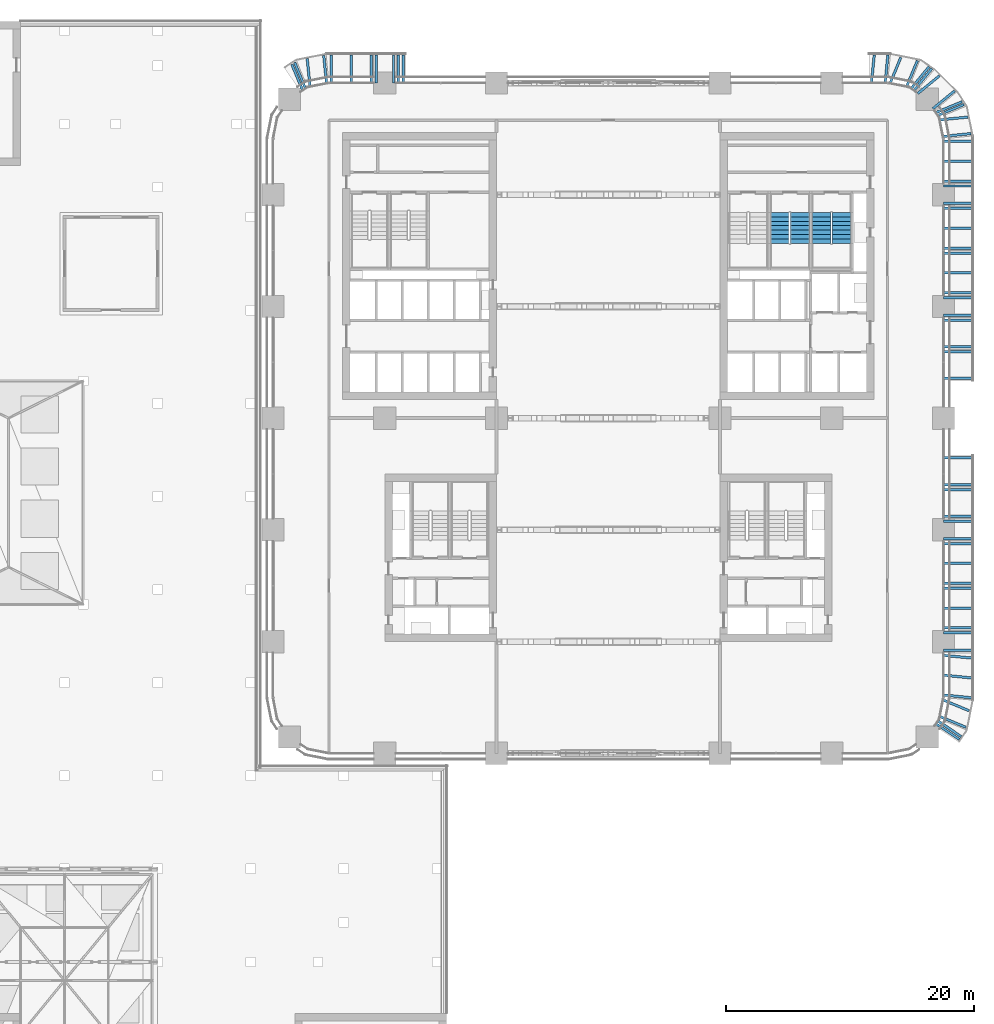
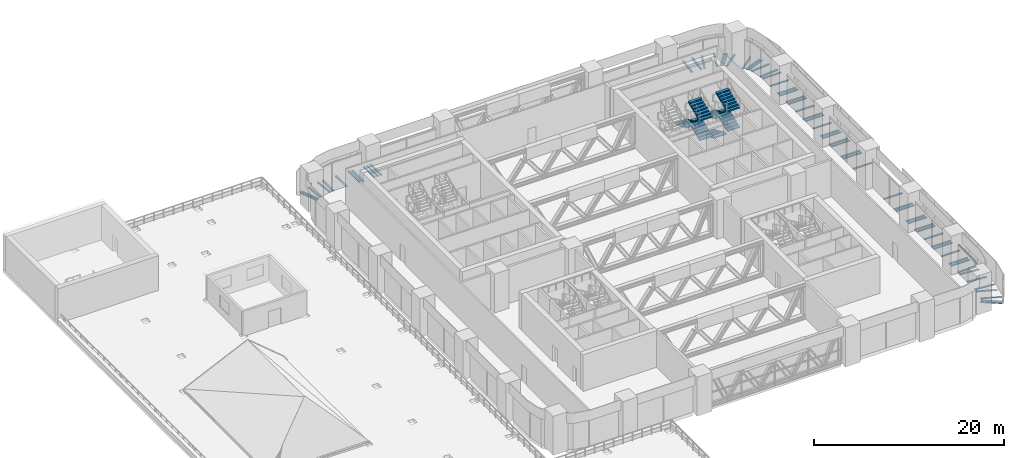
# One storey, part 27 of 35: 61 discrete accessories, 7 stair flights, 2 elements without a shape of their own.
"""IFC4 building model written with IfcOpenShell, lengths in metres."""

from ifc_helpers import new_model, si_unit, direction, frame, origin, origin_2d, place, context, subcontext, project, spatial, polyline, rectangle, outline, extrude, material, type_object, element, aggregate, save


model = new_model("IFC4")

# Units and contexts
model_context = context("Model", 3, precision=1e-05, world=origin(), true_north=direction((0.0, 1.0)))
body_context = subcontext(model_context, "Body", "Model", "MODEL_VIEW")
ifc_project = project(units=[si_unit("LENGTHUNIT", "METRE"), si_unit("AREAUNIT", "SQUARE_METRE"), si_unit("VOLUMEUNIT", "CUBIC_METRE"), si_unit("PLANEANGLEUNIT", "RADIAN"), si_unit("MASSUNIT", "GRAM", prefix="KILO")], contexts=[model_context])

# Site, building, storey
site_placement = place(None, origin())
site = spatial("IfcSite", under=ifc_project, at=site_placement, CompositionType="ELEMENT")
building_placement = place(site_placement, origin())
building = spatial("IfcBuilding", under=site, at=building_placement, Name="Tessera Arch", CompositionType="ELEMENT")
storey_placement = place(building_placement, frame((0.0, 0.0, 26.0)))
storey = spatial("IfcBuildingStorey", under=building, at=storey_placement, Name="L04", CompositionType="ELEMENT", Elevation=26.0)

# Stair, stair flights
ifc_material_1 = material(Name="Concrete C40/50", Category="concrete")
stair_type = type_object("IfcStairType", Name="Dogleg stair 1520", PredefinedType="HALF_TURN_STAIR", material=ifc_material_1)
stair_1_placement = place(storey_placement, origin())
stair_1 = element("IfcStair", 1, at=stair_1_placement, inside=storey, type_object=stair_type, Name="L04 S1b", PredefinedType="HALF_TURN_STAIR")
ifc_material_2 = material(Name="Concrete C40/50", Category="concrete")
stair_flight_type = type_object("IfcStairFlightType", Name="Stair flight 1520", PredefinedType="STRAIGHT", material=ifc_material_2)
stair_flight_1_placement = place(storey_placement, frame((42.43994140625, 41.06005859375, 1.25), z_axis=(0.0, 0.0, 1.0), x_axis=(0.0, 1.0, 0.0)))
stair_flight_1 = element("IfcStairFlight", 2, at=stair_flight_1_placement, type_object=stair_flight_type, Name="S1b flight 2", NumberOfRisers=8, NumberOfTreads=7, PredefinedType="STRAIGHT", RiserHeight=0.15625, TreadLength=0.36, context=body_context, shape_type="SweptSolid", body=[
    extrude(outline(polyline([(0.0, 0.0), (0.0, 0.15625), (0.360107421875, 0.15625), (0.360107421875, 0.3125), (0.719970703125, 0.3125), (0.719970703125, 0.46875), (1.080078125, 0.46875), (1.080078125, 0.625), (1.43994140625, 0.625), (1.43994140625, 0.78125), (1.800048828125, 0.78125), (1.800048828125, 0.9375), (2.159912109375, 0.9375), (2.159912109375, 1.09375), (2.52001953125, 1.09375), (2.52001953125, 1.25), (2.52001953125, 0.930419921875), (0.37646484375, 0.0), (0.0, 0.0)])), frame((0.0, 0.760009765625, 0.0), z_axis=(0.0, -1.0, 0.0), x_axis=(1.0, 0.0, 0.0)), (0.0, 0.0, 1.0), 1.52001953125),
])
stair_flight_2_placement = place(storey_placement, frame((40.81005859375, 43.580078125, 2.5), z_axis=(0.0, 0.0, 1.0), x_axis=(0.0, -1.0, 0.0)))
stair_flight_2 = element("IfcStairFlight", 3, at=stair_flight_2_placement, type_object=stair_flight_type, Name="S1b flight 3", NumberOfRisers=8, NumberOfTreads=7, PredefinedType="STRAIGHT", RiserHeight=0.15625, TreadLength=0.36, context=body_context, shape_type="SweptSolid", body=[
    extrude(outline(polyline([(0.0, 0.0), (0.0, 0.15625), (0.360107421875, 0.15625), (0.360107421875, 0.3125), (0.719970703125, 0.3125), (0.719970703125, 0.46875), (1.080078125, 0.46875), (1.080078125, 0.625), (1.43994140625, 0.625), (1.43994140625, 0.78125), (1.800048828125, 0.78125), (1.800048828125, 0.9375), (2.159912109375, 0.9375), (2.159912109375, 1.09375), (2.52001953125, 1.09375), (2.52001953125, 1.25), (2.52001953125, 0.930419921875), (0.37646484375, 0.0), (0.0, 0.0)])), frame((0.0, 0.760009765625, 0.0), z_axis=(0.0, -1.0, 0.0), x_axis=(1.0, 0.0, 0.0)), (0.0, 0.0, 1.0), 1.52001953125),
])
stair_flight_3_placement = place(storey_placement, frame((42.43994140625, 41.06005859375, 3.75), z_axis=(0.0, 0.0, 1.0), x_axis=(0.0, 1.0, 0.0)))
stair_flight_3 = element("IfcStairFlight", 4, at=stair_flight_3_placement, type_object=stair_flight_type, Name="S1b flight 4", NumberOfRisers=8, NumberOfTreads=7, PredefinedType="STRAIGHT", RiserHeight=0.15625, TreadLength=0.36, context=body_context, shape_type="SweptSolid", body=[
    extrude(outline(polyline([(0.0, 0.0), (0.0, 0.15625), (0.360107421875, 0.15625), (0.360107421875, 0.3125), (0.719970703125, 0.3125), (0.719970703125, 0.46875), (1.080078125, 0.46875), (1.080078125, 0.625), (1.43994140625, 0.625), (1.43994140625, 0.78125), (1.800048828125, 0.78125), (1.800048828125, 0.9375), (2.159912109375, 0.9375), (2.159912109375, 1.09375), (2.52001953125, 1.09375), (2.52001953125, 1.25), (2.52001953125, 0.930419921875), (0.37646484375, 0.0), (0.0, 0.0)])), frame((0.0, 0.760009765625, 0.0), z_axis=(0.0, -1.0, 0.0), x_axis=(1.0, 0.0, 0.0)), (0.0, 0.0, 1.0), 1.52001953125),
])
aggregate(stair_1, [stair_flight_1, stair_flight_2, stair_flight_3])

stair_2_placement = place(storey_placement, origin())
stair_2 = element("IfcStair", 5, at=stair_2_placement, inside=storey, type_object=stair_type, Name="L04 S1c", PredefinedType="HALF_TURN_STAIR")
stair_flight_4_placement = place(storey_placement, frame((44.159912109375, 43.580078125, 0.0), z_axis=(0.0, 0.0, 1.0), x_axis=(0.0, -1.0, 0.0)))
stair_flight_4 = element("IfcStairFlight", 6, at=stair_flight_4_placement, type_object=stair_flight_type, Name="S1c flight 1", NumberOfRisers=8, NumberOfTreads=7, PredefinedType="STRAIGHT", RiserHeight=0.15625, TreadLength=0.36, context=body_context, shape_type="SweptSolid", body=[
    extrude(outline(polyline([(0.0, 0.0), (0.0, 0.15625), (0.360107421875, 0.15625), (0.360107421875, 0.3125), (0.719970703125, 0.3125), (0.719970703125, 0.46875), (1.080078125, 0.46875), (1.080078125, 0.625), (1.43994140625, 0.625), (1.43994140625, 0.78125), (1.800048828125, 0.78125), (1.800048828125, 0.9375), (2.159912109375, 0.9375), (2.159912109375, 1.09375), (2.52001953125, 1.09375), (2.52001953125, 1.25), (2.52001953125, 0.930419921875), (0.37646484375, 0.0), (0.0, 0.0)])), frame((0.0, 0.760009765625, 0.0), z_axis=(0.0, -1.0, 0.0), x_axis=(1.0, 0.0, 0.0)), (0.0, 0.0, 1.0), 1.52001953125),
])
stair_flight_5_placement = place(storey_placement, frame((45.7900390625, 41.06005859375, 1.25), z_axis=(0.0, 0.0, 1.0), x_axis=(0.0, 1.0, 0.0)))
stair_flight_5 = element("IfcStairFlight", 7, at=stair_flight_5_placement, type_object=stair_flight_type, Name="S1c flight 2", NumberOfRisers=8, NumberOfTreads=7, PredefinedType="STRAIGHT", RiserHeight=0.15625, TreadLength=0.36, context=body_context, shape_type="SweptSolid", body=[
    extrude(outline(polyline([(0.0, 0.0), (0.0, 0.15625), (0.360107421875, 0.15625), (0.360107421875, 0.3125), (0.719970703125, 0.3125), (0.719970703125, 0.46875), (1.080078125, 0.46875), (1.080078125, 0.625), (1.43994140625, 0.625), (1.43994140625, 0.78125), (1.800048828125, 0.78125), (1.800048828125, 0.9375), (2.159912109375, 0.9375), (2.159912109375, 1.09375), (2.52001953125, 1.09375), (2.52001953125, 1.25), (2.52001953125, 0.930419921875), (0.37646484375, 0.0), (0.0, 0.0)])), frame((0.0, 0.760009765625, 0.0), z_axis=(0.0, -1.0, 0.0), x_axis=(1.0, 0.0, 0.0)), (0.0, 0.0, 1.0), 1.52001953125),
])
stair_flight_6_placement = place(storey_placement, frame((44.159912109375, 43.580078125, 2.5), z_axis=(0.0, 0.0, 1.0), x_axis=(0.0, -1.0, 0.0)))
stair_flight_6 = element("IfcStairFlight", 8, at=stair_flight_6_placement, type_object=stair_flight_type, Name="S1c flight 3", NumberOfRisers=8, NumberOfTreads=7, PredefinedType="STRAIGHT", RiserHeight=0.15625, TreadLength=0.36, context=body_context, shape_type="SweptSolid", body=[
    extrude(outline(polyline([(0.0, 0.0), (0.0, 0.15625), (0.360107421875, 0.15625), (0.360107421875, 0.3125), (0.719970703125, 0.3125), (0.719970703125, 0.46875), (1.080078125, 0.46875), (1.080078125, 0.625), (1.43994140625, 0.625), (1.43994140625, 0.78125), (1.800048828125, 0.78125), (1.800048828125, 0.9375), (2.159912109375, 0.9375), (2.159912109375, 1.09375), (2.52001953125, 1.09375), (2.52001953125, 1.25), (2.52001953125, 0.930419921875), (0.37646484375, 0.0), (0.0, 0.0)])), frame((0.0, 0.760009765625, 0.0), z_axis=(0.0, -1.0, 0.0), x_axis=(1.0, 0.0, 0.0)), (0.0, 0.0, 1.0), 1.52001953125),
])
stair_flight_7_placement = place(storey_placement, frame((45.7900390625, 41.06005859375, 3.75), z_axis=(0.0, 0.0, 1.0), x_axis=(0.0, 1.0, 0.0)))
stair_flight_7 = element("IfcStairFlight", 9, at=stair_flight_7_placement, type_object=stair_flight_type, Name="S1c flight 4", NumberOfRisers=8, NumberOfTreads=7, PredefinedType="STRAIGHT", RiserHeight=0.15625, TreadLength=0.36, context=body_context, shape_type="SweptSolid", body=[
    extrude(outline(polyline([(0.0, 0.0), (0.0, 0.15625), (0.360107421875, 0.15625), (0.360107421875, 0.3125), (0.719970703125, 0.3125), (0.719970703125, 0.46875), (1.080078125, 0.46875), (1.080078125, 0.625), (1.43994140625, 0.625), (1.43994140625, 0.78125), (1.800048828125, 0.78125), (1.800048828125, 0.9375), (2.159912109375, 0.9375), (2.159912109375, 1.09375), (2.52001953125, 1.09375), (2.52001953125, 1.25), (2.52001953125, 0.930419921875), (0.37646484375, 0.0), (0.0, 0.0)])), frame((0.0, 0.760009765625, 0.0), z_axis=(0.0, -1.0, 0.0), x_axis=(1.0, 0.0, 0.0)), (0.0, 0.0, 1.0), 1.52001953125),
])
aggregate(stair_2, [stair_flight_4, stair_flight_5, stair_flight_6, stair_flight_7])

# Discrete accessories
for number, where, z_axis, x_axis, name in (
    (10, (54.338134765625, 1.753662109375, -0.1201171875), (0.0, 0.0, 1.0), (0.831410080669, -0.555659318073, 0.0), "Podium cornice bracket"),
    (11, (54.489990234375, 1.98095703125, -0.1201171875), (0.0, 0.0, 1.0), (0.831410080669, -0.555659318073, 0.0), "Podium cornice bracket"),
    (12, (54.7451171875, 2.539794921875, -0.1201171875), (0.0, 0.0, 1.0), (0.923864052466, -0.382720802362, 0.0), "Podium cornice bracket"),
    (13, (55.009521484375, 3.869384765625, -0.1201171875), (0.0, 0.0, 1.0), (0.923864052466, -0.382720802362, 0.0), "Podium cornice bracket"),
    (14, (55.12939453125, 4.5888671875, -0.1201171875), (0.0, 0.0, 1.0), (0.995186012907, -0.098004080087, 0.0), "Podium cornice bracket"),
    (15, (55.12939453125, 6.188720703125, -0.1201171875), (0.0, 0.0, 1.0), (0.995186012907, -0.098004080087, 0.0), "Podium cornice bracket"),
    (16, (55.12939453125, 7.788818359375, -0.1201171875), (0.0, 0.0, 1.0), (0.995186012907, -0.098004080087, 0.0), "Podium cornice bracket"),
    (17, (55.135009765625, 8.300048828125, -0.1201171875), (0.0, 0.0, 1.0), (1.0, 0.0, 0.0), "Podium cornice bracket"),
    (18, (55.135009765625, 9.699951171875, -0.1201171875), (0.0, 0.0, 1.0), (1.0, 0.0, 0.0), "Podium cornice bracket"),
    (19, (55.135009765625, 10.10009765625, -0.1201171875), (0.0, 0.0, 1.0), (1.0, 0.0, 0.0), "Podium cornice bracket"),
    (20, (55.135009765625, 11.699951171875, -0.1201171875), (0.0, 0.0, 1.0), (1.0, 0.0, 0.0), "Podium cornice bracket"),
    (21, (55.135009765625, 13.300048828125, -0.1201171875), (0.0, 0.0, 1.0), (1.0, 0.0, 0.0), "Podium cornice bracket"),
    (22, (55.135009765625, 13.699951171875, -0.1201171875), (0.0, 0.0, 1.0), (1.0, 0.0, 0.0), "Podium cornice bracket"),
    (23, (55.135009765625, 15.300048828125, -0.1201171875), (0.0, 0.0, 1.0), (1.0, 0.0, 0.0), "Podium cornice bracket"),
    (24, (55.135009765625, 16.89990234375, -0.1201171875), (0.0, 0.0, 1.0), (1.0, 0.0, 0.0), "Podium cornice bracket"),
    (25, (55.135009765625, 17.300048828125, -0.1201171875), (0.0, 0.0, 1.0), (1.0, 0.0, 0.0), "Podium cornice bracket"),
    (26, (55.135009765625, 18.699951171875, -0.1201171875), (0.0, 0.0, 1.0), (1.0, 0.0, 0.0), "Podium cornice bracket"),
    (27, (55.135009765625, 19.10009765625, -0.1201171875), (0.0, 0.0, 1.0), (1.0, 0.0, 0.0), "Podium cornice bracket"),
    (28, (55.135009765625, 21.25, -0.1201171875), (0.0, 0.0, 1.0), (1.0, 0.0, 0.0), "Podium cornice bracket"),
    (29, (55.135009765625, 21.64990234375, -0.1201171875), (0.0, 0.0, 1.0), (1.0, 0.0, 0.0), "Podium cornice bracket"),
    (30, (55.135009765625, 23.800048828125, -0.1201171875), (0.0, 0.0, 1.0), (1.0, 0.0, 0.0), "Podium cornice bracket"),
    (31, (55.135009765625, 30.199951171875, -0.1201171875), (0.0, 0.0, 1.0), (1.0, 0.0, 0.0), "Podium cornice bracket"),
    (32, (55.135009765625, 32.35009765625, -0.1201171875), (0.0, 0.0, 1.0), (1.0, 0.0, 0.0), "Podium cornice bracket"),
    (33, (55.135009765625, 32.75, -0.1201171875), (0.0, 0.0, 1.0), (1.0, 0.0, 0.0), "Podium cornice bracket"),
    (34, (55.135009765625, 34.89990234375, -0.1201171875), (0.0, 0.0, 1.0), (1.0, 0.0, 0.0), "Podium cornice bracket"),
    (35, (55.135009765625, 35.300048828125, -0.1201171875), (0.0, 0.0, 1.0), (1.0, 0.0, 0.0), "Podium cornice bracket"),
    (36, (55.135009765625, 36.699951171875, -0.1201171875), (0.0, 0.0, 1.0), (1.0, 0.0, 0.0), "Podium cornice bracket"),
    (37, (55.135009765625, 37.10009765625, -0.1201171875), (0.0, 0.0, 1.0), (1.0, 0.0, 0.0), "Podium cornice bracket"),
    (38, (55.135009765625, 38.699951171875, -0.1201171875), (0.0, 0.0, 1.0), (1.0, 0.0, 0.0), "Podium cornice bracket"),
    (39, (55.135009765625, 40.300048828125, -0.1201171875), (0.0, 0.0, 1.0), (1.0, 0.0, 0.0), "Podium cornice bracket"),
    (40, (55.135009765625, 40.699951171875, -0.1201171875), (0.0, 0.0, 1.0), (1.0, 0.0, 0.0), "Podium cornice bracket"),
    (41, (55.135009765625, 42.300048828125, -0.1201171875), (0.0, 0.0, 1.0), (1.0, 0.0, 0.0), "Podium cornice bracket"),
    (42, (55.135009765625, 43.89990234375, -0.1201171875), (0.0, 0.0, 1.0), (1.0, 0.0, 0.0), "Podium cornice bracket"),
    (43, (55.135009765625, 44.300048828125, -0.1201171875), (0.0, 0.0, 1.0), (1.0, 0.0, 0.0), "Podium cornice bracket"),
    (44, (55.135009765625, 45.699951171875, -0.1201171875), (0.0, 0.0, 1.0), (1.0, 0.0, 0.0), "Podium cornice bracket"),
    (45, (55.135009765625, 46.10009765625, -0.1201171875), (0.0, 0.0, 1.0), (1.0, 0.0, 0.0), "Podium cornice bracket"),
    (46, (55.135009765625, 47.699951171875, -0.1201171875), (0.0, 0.0, 1.0), (1.0, 0.0, 0.0), "Podium cornice bracket"),
    (47, (55.135009765625, 49.300048828125, -0.1201171875), (0.0, 0.0, 1.0), (1.0, 0.0, 0.0), "Podium cornice bracket"),
    (48, (55.090576171875, 49.807373046875, -0.1201171875), (0.0, 0.0, 1.0), (0.995186012907, 0.098004080087, 0.0), "Podium cornice bracket"),
    (49, (54.825927734375, 51.13720703125, -0.1201171875), (0.0, 0.0, 1.0), (0.995186012907, 0.098004080087, 0.0), "Podium cornice bracket"),
    (50, (54.594970703125, 51.82275390625, -0.1201171875), (0.0, 0.0, 1.0), (0.923864052466, 0.382720802362, 0.0), "Podium cornice bracket"),
    (51, (54.443115234375, 52.050048828125, -0.1201171875), (0.0, 0.0, 1.0), (0.923864052466, 0.382720802362, 0.0), "Podium cornice bracket"),
    (52, (54.019287109375, 52.6435546875, -0.1201171875), (0.0, 0.0, 1.0), (0.772976466055, 0.634434695556, 0.0), "Podium cornice bracket"),
    (53, (52.80078125, 53.862060546875, -0.1201171875), (0.0, 0.0, 1.0), (0.772976466055, 0.634434695556, 0.0), "Podium cornice bracket"),
    (54, (52.335693359375, 54.271728515625, -0.1201171875), (0.0, 0.0, 1.0), (0.634434695556, 0.772976466055, 0.0), "Podium cornice bracket"),
    (55, (52.1083984375, 54.423583984375, -0.1201171875), (0.0, 0.0, 1.0), (0.634434695556, 0.772976466055, 0.0), "Podium cornice bracket"),
    (56, (51.460205078125, 54.7451171875, -0.1201171875), (0.0, 0.0, 1.0), (0.382720802362, 0.923864052466, 0.0), "Podium cornice bracket"),
    (57, (50.130615234375, 55.009521484375, -0.1201171875), (0.0, 0.0, 1.0), (0.382720802362, 0.923864052466, 0.0), "Podium cornice bracket"),
    (58, (49.4111328125, 55.12939453125, -0.1201171875), (0.0, 0.0, 1.0), (0.098004080087, 0.995186012907, 0.0), "Podium cornice bracket"),
    (59, (48.311279296875, 55.12939453125, -0.1201171875), (0.0, 0.0, 1.0), (0.098004080087, 0.995186012907, 0.0), "Podium cornice bracket"),
    (60, (10.5, 55.135009765625, -0.1201171875), (0.0, 0.0, 1.0), (0.0, 1.0, 0.0), "Podium cornice bracket"),
    (61, (10.10009765625, 55.135009765625, -0.1201171875), (0.0, 0.0, 1.0), (0.0, 1.0, 0.0), "Podium cornice bracket"),
    (62, (9.699951171875, 55.135009765625, -0.1201171875), (0.0, 0.0, 1.0), (0.0, 1.0, 0.0), "Podium cornice bracket"),
    (63, (8.300048828125, 55.135009765625, -0.1201171875), (0.0, 0.0, 1.0), (0.0, 1.0, 0.0), "Podium cornice bracket"),
    (64, (7.89990234375, 55.135009765625, -0.1201171875), (0.0, 0.0, 1.0), (0.0, 1.0, 0.0), "Podium cornice bracket"),
    (65, (6.300048828125, 55.135009765625, -0.1201171875), (0.0, 0.0, 1.0), (0.0, 1.0, 0.0), "Podium cornice bracket"),
    (66, (4.699951171875, 55.135009765625, -0.1201171875), (0.0, 0.0, 1.0), (0.0, 1.0, 0.0), "Podium cornice bracket"),
    (67, (4.192626953125, 55.090576171875, -0.1201171875), (0.0, 0.0, 1.0), (-0.098004080087, 0.995186012907, 0.0), "Podium cornice bracket"),
    (68, (2.86279296875, 54.825927734375, -0.1201171875), (0.0, 0.0, 1.0), (-0.098004080087, 0.995186012907, 0.0), "Podium cornice bracket"),
    (69, (2.17724609375, 54.594970703125, -0.1201171875), (0.0, 0.0, 1.0), (-0.382720802362, 0.923864052466, 0.0), "Podium cornice bracket"),
    (70, (1.949951171875, 54.443115234375, -0.1201171875), (0.0, 0.0, 1.0), (-0.382720802362, 0.923864052466, 0.0), "Podium cornice bracket"),
):
    element("IfcDiscreteAccessory", number, at=place(storey_placement, frame(where, z_axis=z_axis, x_axis=x_axis)), inside=storey, Name=name, PredefinedType="BRACKET", context=body_context, shape_type="SweptSolid", body=[
        extrude(rectangle(XDim=2.27001953125, YDim=0.199951171875, at=origin_2d()), origin(), (0.0, 0.0, 1.0), 0.1201171875),
    ])

save(model, "model.ifc")
